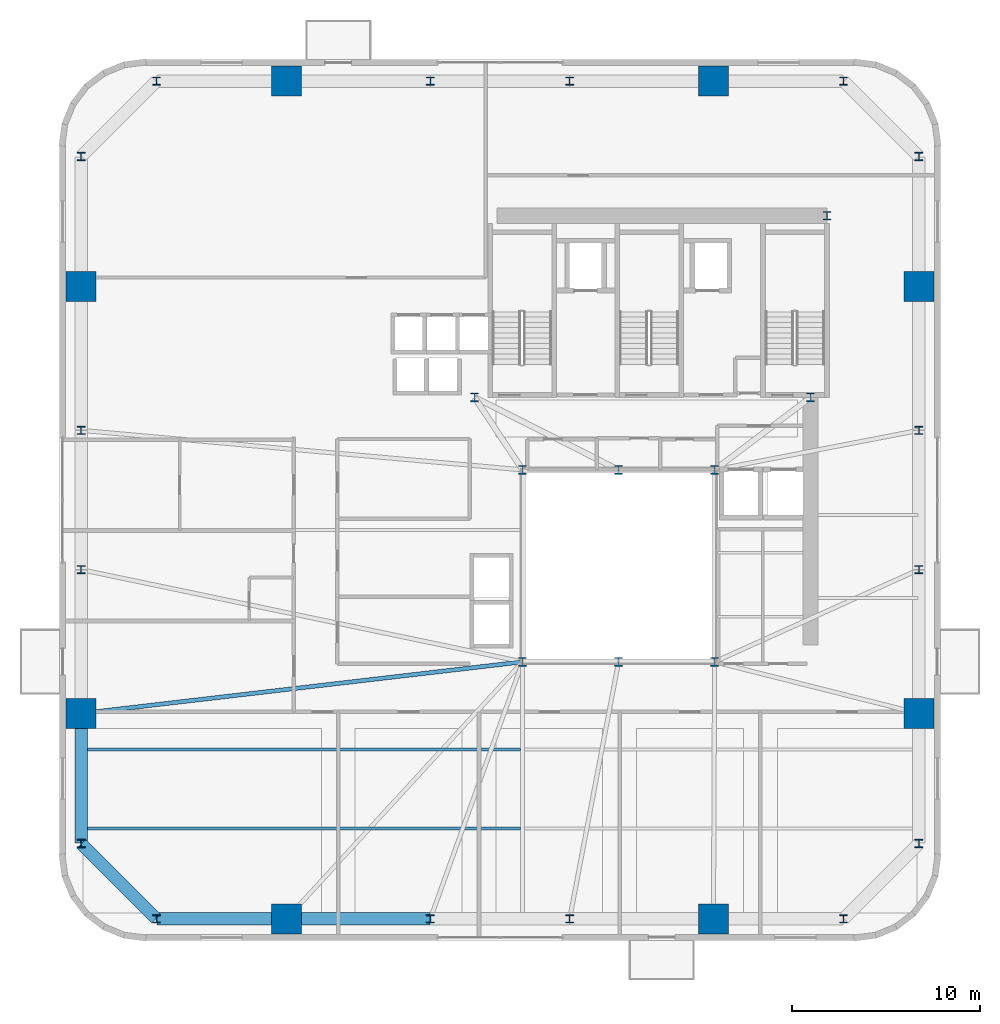
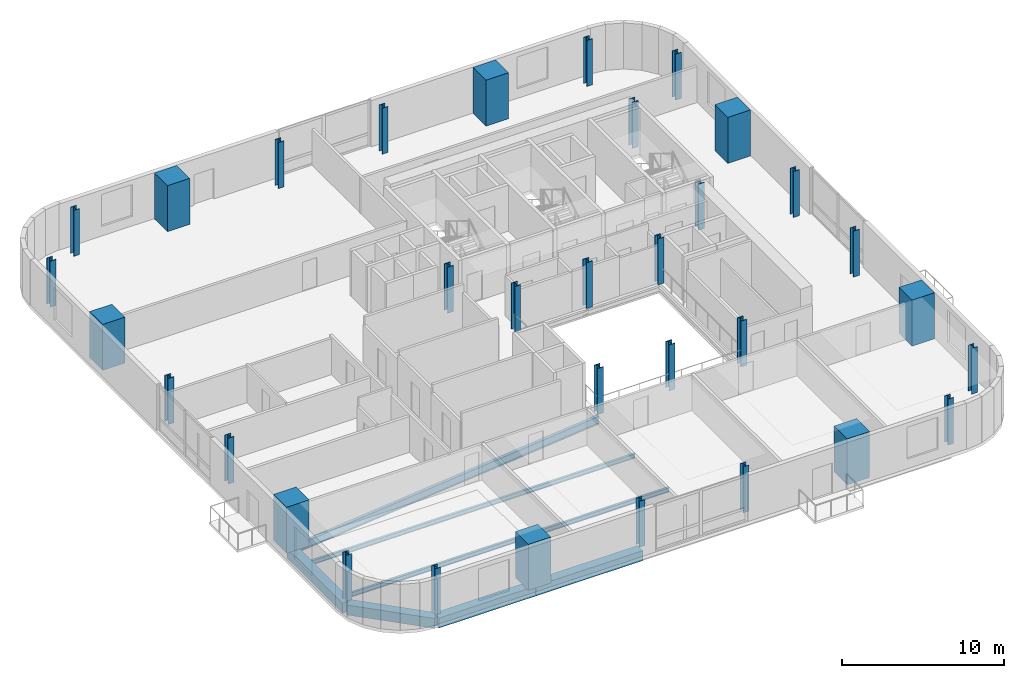
# One storey, part 1 of 13: 33 columns, 7 beams.
"""IFC4 building model written with IfcOpenShell, lengths in metres."""

from ifc_helpers import new_model, si_unit, direction, frame, origin, origin_2d, place, context, subcontext, project, spatial, rectangle, i_section, extrude, source, transform, mapped, material, material_profile, profile_set, type_object, element, save


model = new_model("IFC4")

# Units and contexts
model_context = context("Model", 3, precision=1e-05, world=origin(), true_north=direction((0.0, 1.0)))
body_context = subcontext(model_context, "Body", "Model", "MODEL_VIEW")
ifc_project = project(units=[si_unit("LENGTHUNIT", "METRE"), si_unit("AREAUNIT", "SQUARE_METRE"), si_unit("VOLUMEUNIT", "CUBIC_METRE"), si_unit("PLANEANGLEUNIT", "RADIAN"), si_unit("MASSUNIT", "GRAM", prefix="KILO")], contexts=[model_context])

# Site, building, storey
site_placement = place(None, origin())
site = spatial("IfcSite", under=ifc_project, at=site_placement, CompositionType="ELEMENT")
building_placement = place(site_placement, origin())
building = spatial("IfcBuilding", under=site, at=building_placement, Name="Vardaveli Station Tower", CompositionType="ELEMENT")
storey_placement = place(building_placement, frame((0.0, 0.0, 115.0)))
storey = spatial("IfcBuildingStorey", under=building, at=storey_placement, Name="L29", CompositionType="ELEMENT", Elevation=115.0)

# Columns
ifc_material_1 = material(Name="Structural steel S460M", Category="steel")
ifc_material_profile_1 = material_profile(ifc_material_1, i_section(OverallWidth=0.424072265625, OverallDepth=0.465087890625, WebThickness=0.034912109375, FlangeThickness=0.055908203125, FilletRadius=0.014892578125, at=origin_2d()), Name="HD 400x592")
ifc_profile_set_1 = profile_set([ifc_material_profile_1], Name="Structural steel S460M")
column_type_1 = type_object("IfcColumnType", Name="COL-HD592", PredefinedType="COLUMN", material=ifc_profile_set_1)
shared_shape_1 = source(origin(), body_context, "Body", "SweptSolid", [
    extrude(i_section(OverallWidth=0.424072265625, OverallDepth=0.465087890625, WebThickness=0.034912109375, FlangeThickness=0.055908203125, FilletRadius=0.014892578125, at=origin_2d()), origin(), (0.0, 0.0, 1.0), 3.4599609375),
])
for number, where, z_axis, x_axis, name in (
    (1, (31.199951171875, 16.60009765625, 0.0), (0.0, 0.0, 1.0), (1.0, 0.0, 0.0), "COL-L29-AC1"),
    (2, (36.300048828125, 16.60009765625, 0.0), (0.0, 0.0, 1.0), (1.0, 0.0, 0.0), "COL-L29-AC2"),
    (3, (41.39990234375, 16.60009765625, 0.0), (0.0, 0.0, 1.0), (1.0, 0.0, 0.0), "COL-L29-AC3"),
    (4, (41.39990234375, 26.800048828125, 0.0), (0.0, 0.0, 1.0), (1.0, 0.0, 0.0), "COL-L29-AC4"),
    (5, (36.300048828125, 26.800048828125, 0.0), (0.0, 0.0, 1.0), (1.0, 0.0, 0.0), "COL-L29-AC5"),
    (6, (31.199951171875, 26.800048828125, 0.0), (0.0, 0.0, 1.0), (1.0, 0.0, 0.0), "COL-L29-AC6"),
    (7, (28.64990234375, 30.64990234375, 0.0), (0.0, 0.0, 1.0), (1.0, 0.0, 0.0), "COL-L29-CC1"),
    (8, (46.5, 30.64990234375, 0.0), (0.0, 0.0, 1.0), (1.0, 0.0, 0.0), "COL-L29-CC2"),
    (9, (47.3701171875, 40.300048828125, 0.0), (0.0, 0.0, 1.0), (1.0, 0.0, 0.0), "COL-L29-CC3"),
):
    element("IfcColumn", number, at=place(storey_placement, frame(where, z_axis=z_axis, x_axis=x_axis)), inside=storey, type_object=column_type_1, Name=name, PredefinedType="COLUMN", context=body_context, shape_type="MappedRepresentation", body=[
        mapped(shared_shape_1, transform((0.0, 0.0, 0.0), scale=1.0)),
    ])
ifc_material_2 = material(Name="Concrete C60/75", Category="concrete")
ifc_material_profile_2 = material_profile(ifc_material_2, rectangle(XDim=1.60009765625, YDim=1.60009765625, at=origin_2d()), Name="MC 1600x1600")
ifc_profile_set_2 = profile_set([ifc_material_profile_2], Name="Concrete C60/75")
column_type_2 = type_object("IfcColumnType", Name="COL-MC-1600", PredefinedType="COLUMN", material=ifc_profile_set_2)
shared_shape_2 = source(origin(), body_context, "Body", "SweptSolid", [
    extrude(rectangle(XDim=1.60009765625, YDim=1.60009765625, at=origin_2d()), origin(), (0.0, 0.0, 1.0), 3.4599609375),
])
for number, where, z_axis, x_axis, name in (
    (10, (18.659912109375, 2.949951171875, 0.0), (0.0, 0.0, 1.0), (1.0, 0.0, 0.0), "COL-L29-MC1"),
    (11, (41.340087890625, 2.949951171875, 0.0), (0.0, 0.0, 1.0), (1.0, 0.0, 0.0), "COL-L29-MC2"),
    (12, (52.25, 13.860107421875, 0.0), (0.0, 0.0, 1.0), (1.0, 0.0, 0.0), "COL-L29-MC3"),
    (13, (52.25, 36.5400390625, 0.0), (0.0, 0.0, 1.0), (1.0, 0.0, 0.0), "COL-L29-MC4"),
    (14, (41.340087890625, 47.449951171875, 0.0), (0.0, 0.0, 1.0), (1.0, 0.0, 0.0), "COL-L29-MC5"),
    (15, (18.659912109375, 47.449951171875, 0.0), (0.0, 0.0, 1.0), (1.0, 0.0, 0.0), "COL-L29-MC6"),
    (16, (7.75, 36.5400390625, 0.0), (0.0, 0.0, 1.0), (1.0, 0.0, 0.0), "COL-L29-MC7"),
    (17, (7.75, 13.860107421875, 0.0), (0.0, 0.0, 1.0), (1.0, 0.0, 0.0), "COL-L29-MC8"),
):
    element("IfcColumn", number, at=place(storey_placement, frame(where, z_axis=z_axis, x_axis=x_axis)), inside=storey, type_object=column_type_2, Name=name, PredefinedType="COLUMN", context=body_context, shape_type="MappedRepresentation", body=[
        mapped(shared_shape_2, transform((0.0, 0.0, 0.0), scale=1.0)),
    ])
ifc_material_profile_3 = material_profile(ifc_material_1, i_section(OverallWidth=0.4140625, OverallDepth=0.431884765625, WebThickness=0.025634765625, FlangeThickness=0.0400390625, FilletRadius=0.014892578125, at=origin_2d()), Name="HD 400x421")
ifc_profile_set_3 = profile_set([ifc_material_profile_3], Name="Structural steel S460M")
column_type_3 = type_object("IfcColumnType", Name="COL-HD421", PredefinedType="COLUMN", material=ifc_profile_set_3)
shared_shape_3 = source(origin(), body_context, "Body", "SweptSolid", [
    extrude(i_section(OverallWidth=0.4140625, OverallDepth=0.431884765625, WebThickness=0.025634765625, FlangeThickness=0.0400390625, FilletRadius=0.014892578125, at=origin_2d()), origin(), (0.0, 0.0, 1.0), 3.4599609375),
])
for number, where, z_axis, x_axis, name in (
    (18, (11.75, 2.949951171875, 0.0), (0.0, 0.0, 1.0), (1.0, 0.0, 0.0), "COL-L29-PC01"),
    (19, (26.300048828125, 2.949951171875, 0.0), (0.0, 0.0, 1.0), (1.0, 0.0, 0.0), "COL-L29-PC02"),
    (20, (33.699951171875, 2.949951171875, 0.0), (0.0, 0.0, 1.0), (1.0, 0.0, 0.0), "COL-L29-PC03"),
    (21, (48.25, 2.949951171875, 0.0), (0.0, 0.0, 1.0), (1.0, 0.0, 0.0), "COL-L29-PC04"),
    (22, (52.25, 6.949951171875, 0.0), (0.0, 0.0, 1.0), (1.0, 0.0, 0.0), "COL-L29-PC05"),
    (23, (52.25, 21.5, 0.0), (0.0, 0.0, 1.0), (1.0, 0.0, 0.0), "COL-L29-PC06"),
    (24, (52.25, 28.89990234375, 0.0), (0.0, 0.0, 1.0), (1.0, 0.0, 0.0), "COL-L29-PC07"),
    (25, (52.25, 43.449951171875, 0.0), (0.0, 0.0, 1.0), (1.0, 0.0, 0.0), "COL-L29-PC08"),
    (26, (48.25, 47.449951171875, 0.0), (0.0, 0.0, 1.0), (1.0, 0.0, 0.0), "COL-L29-PC09"),
    (27, (33.699951171875, 47.449951171875, 0.0), (0.0, 0.0, 1.0), (1.0, 0.0, 0.0), "COL-L29-PC10"),
    (28, (26.300048828125, 47.449951171875, 0.0), (0.0, 0.0, 1.0), (1.0, 0.0, 0.0), "COL-L29-PC11"),
    (29, (11.75, 47.449951171875, 0.0), (0.0, 0.0, 1.0), (1.0, 0.0, 0.0), "COL-L29-PC12"),
    (30, (7.75, 43.449951171875, 0.0), (0.0, 0.0, 1.0), (1.0, 0.0, 0.0), "COL-L29-PC13"),
    (31, (7.75, 28.89990234375, 0.0), (0.0, 0.0, 1.0), (1.0, 0.0, 0.0), "COL-L29-PC14"),
    (32, (7.75, 21.5, 0.0), (0.0, 0.0, 1.0), (1.0, 0.0, 0.0), "COL-L29-PC15"),
    (33, (7.75, 6.949951171875, 0.0), (0.0, 0.0, 1.0), (1.0, 0.0, 0.0), "COL-L29-PC16"),
):
    element("IfcColumn", number, at=place(storey_placement, frame(where, z_axis=z_axis, x_axis=x_axis)), inside=storey, type_object=column_type_3, Name=name, PredefinedType="COLUMN", context=body_context, shape_type="MappedRepresentation", body=[
        mapped(shared_shape_3, transform((0.0, 0.0, 0.0), scale=1.0)),
    ])

# Beams
ifc_material_3 = material(Name="Precast concrete C45/55", Category="concrete")
ifc_material_profile_4 = material_profile(ifc_material_3, rectangle(XDim=0.64990234375, YDim=0.75, at=origin_2d()), Name="LPB 650x750")
ifc_profile_set_4 = profile_set([ifc_material_profile_4], Name="Precast concrete C45/55")
beam_type_1 = type_object("IfcBeamType", Name="BM-LPB-750", PredefinedType="BEAM", material=ifc_profile_set_4)
shared_shape_4 = source(origin(), body_context, "Body", "SweptSolid", [
    extrude(rectangle(XDim=0.64990234375, YDim=0.75, at=origin_2d()), origin(), (0.0, 0.0, 1.0), 7.60009765625),
])
beam_1_placement = place(storey_placement, frame((18.679931640625, 2.949951171875, -0.614990234375), z_axis=(1.0, 0.0, 0.0), x_axis=(0.0, 1.0, 0.0)))
element("IfcBeam", 34, at=beam_1_placement, inside=storey, type_object=beam_type_1, Name="RBM-L29-01", PredefinedType="BEAM", context=body_context, shape_type="MappedRepresentation", body=[
    mapped(shared_shape_4, transform((0.0, 0.0, 0.0), scale=1.0)),
])
shared_shape_5 = source(origin(), body_context, "Body", "SweptSolid", [
    extrude(rectangle(XDim=0.64990234375, YDim=0.75, at=origin_2d()), origin(), (0.0, 0.0, 1.0), 6.869873046875),
])
beam_2_placement = place(storey_placement, frame((11.77001953125, 2.949951171875, -0.614990234375), z_axis=(1.0, 0.0, 0.0), x_axis=(0.0, 1.0, 0.0)))
element("IfcBeam", 35, at=beam_2_placement, inside=storey, type_object=beam_type_1, Name="RBM-L29-24", PredefinedType="BEAM", context=body_context, shape_type="MappedRepresentation", body=[
    mapped(shared_shape_5, transform((0.0, 0.0, 0.0), scale=1.0)),
])
shared_shape_6 = source(origin(), body_context, "Body", "SweptSolid", [
    extrude(rectangle(XDim=0.64990234375, YDim=0.75, at=origin_2d()), origin(), (0.0, 0.0, 1.0), 5.61669921875),
])
beam_3_placement = place(storey_placement, frame((7.76416015625, 6.935791015625, -0.614990234375), z_axis=(0.707106781187, -0.707106781187, 0.0), x_axis=(0.707106781187, 0.707106781187, 0.0)))
element("IfcBeam", 36, at=beam_3_placement, inside=storey, type_object=beam_type_1, Name="RBM-L29-23", PredefinedType="BEAM", context=body_context, shape_type="MappedRepresentation", body=[
    mapped(shared_shape_6, transform((0.0, 0.0, 0.0), scale=1.0)),
])
shared_shape_7 = source(origin(), body_context, "Body", "SweptSolid", [
    extrude(rectangle(XDim=0.64990234375, YDim=0.75, at=origin_2d()), origin(), (0.0, 0.0, 1.0), 6.8701171875),
])
beam_4_placement = place(storey_placement, frame((7.75, 13.840087890625, -0.614990234375), z_axis=(0.0, -1.0, 0.0), x_axis=(1.0, 0.0, 0.0)))
element("IfcBeam", 37, at=beam_4_placement, inside=storey, type_object=beam_type_1, Name="RBM-L29-22", PredefinedType="BEAM", context=body_context, shape_type="MappedRepresentation", body=[
    mapped(shared_shape_7, transform((0.0, 0.0, 0.0), scale=1.0)),
])
ifc_material_4 = material(Name="Structural steel S355J2", Category="steel")
ifc_material_profile_5 = material_profile(ifc_material_4, i_section(OverallWidth=0.159912109375, OverallDepth=0.330078125, WebThickness=0.007568359375, FlangeThickness=0.011474609375, FilletRadius=0.01806640625, at=origin_2d()), Name="IPE 330")
ifc_profile_set_5 = profile_set([ifc_material_profile_5], Name="Structural steel S355J2")
beam_type_2 = type_object("IfcBeamType", Name="BM-IPE330", PredefinedType="JOIST", material=ifc_profile_set_5)
shared_shape_8 = source(origin(), body_context, "Body", "SweptSolid", [
    extrude(i_section(OverallWidth=0.159912109375, OverallDepth=0.330078125, WebThickness=0.007568359375, FlangeThickness=0.011474609375, FilletRadius=0.01806640625, at=origin_2d()), origin(), (0.0, 0.0, 1.0), 23.2978515625),
])
for number, where, z_axis, x_axis, name in (
    (38, (7.7900390625, 7.75, -0.405029296875), (1.0, 0.0, 0.0), (0.0, 1.0, 0.0), "SJ-L29-S01"),
    (39, (7.7900390625, 11.949951171875, -0.405029296875), (1.0, 0.0, 0.0), (0.0, 1.0, 0.0), "SJ-L29-S03"),
):
    element("IfcBeam", number, at=place(storey_placement, frame(where, z_axis=z_axis, x_axis=x_axis)), inside=storey, type_object=beam_type_2, Name=name, PredefinedType="JOIST", context=body_context, shape_type="MappedRepresentation", body=[
        mapped(shared_shape_8, transform((0.0, 0.0, 0.0), scale=1.0)),
    ])
ifc_material_profile_6 = material_profile(ifc_material_4, i_section(OverallWidth=0.219970703125, OverallDepth=0.60009765625, WebThickness=0.011962890625, FlangeThickness=0.01904296875, FilletRadius=0.02392578125, at=origin_2d()), Name="IPE 600")
ifc_profile_set_6 = profile_set([ifc_material_profile_6], Name="Structural steel S355J2")
beam_type_3 = type_object("IfcBeamType", Name="BM-IPE600", PredefinedType="BEAM", material=ifc_profile_set_6)
shared_shape_9 = source(origin(), body_context, "Body", "SweptSolid", [
    extrude(i_section(OverallWidth=0.219970703125, OverallDepth=0.60009765625, WebThickness=0.011962890625, FlangeThickness=0.01904296875, FilletRadius=0.02392578125, at=origin_2d()), origin(), (0.0, 0.0, 1.0), 23.569580078125),
])
beam_5_placement = place(storey_placement, frame((7.769775390625, 13.8623046875, -0.5400390625), z_axis=(0.993242915589, 0.11605391261, 0.0), x_axis=(-0.11605391261, 0.993242915589, 0.0)))
element("IfcBeam", 40, at=beam_5_placement, inside=storey, type_object=beam_type_3, Name="GBM-L29-10", PredefinedType="BEAM", context=body_context, shape_type="MappedRepresentation", body=[
    mapped(shared_shape_9, transform((0.0, 0.0, 0.0), scale=1.0)),
])

save(model, "model.ifc")
